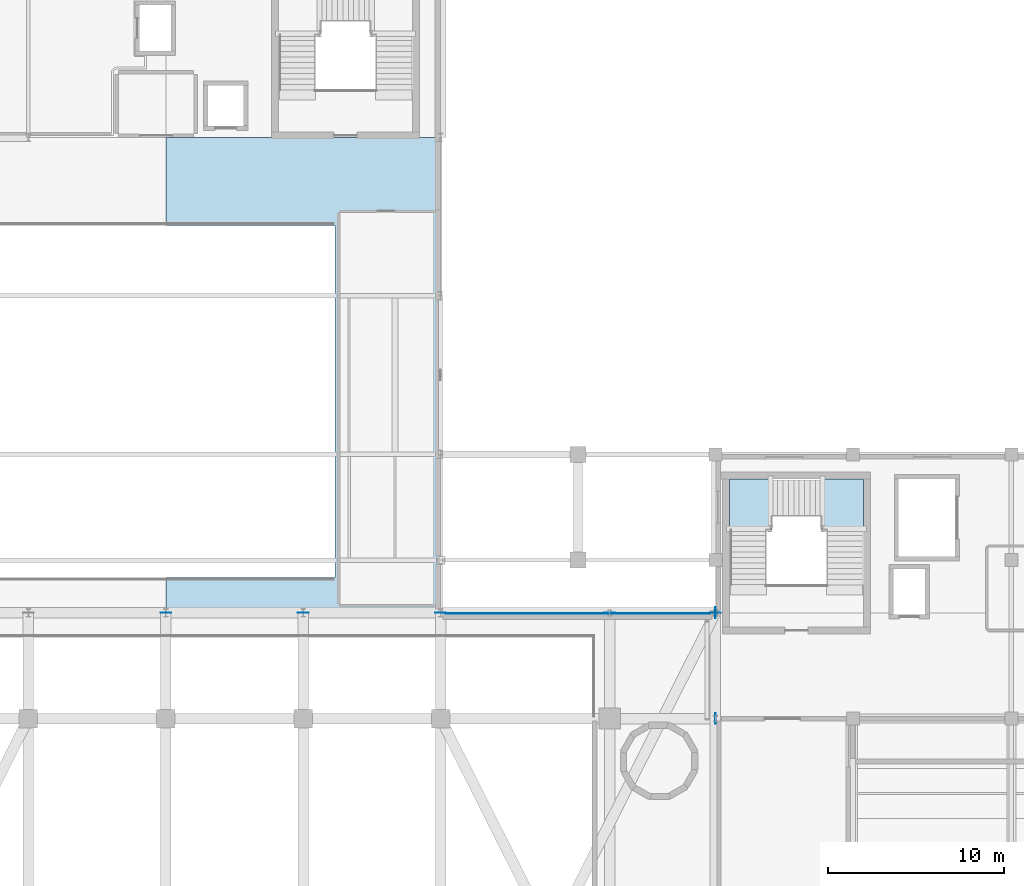
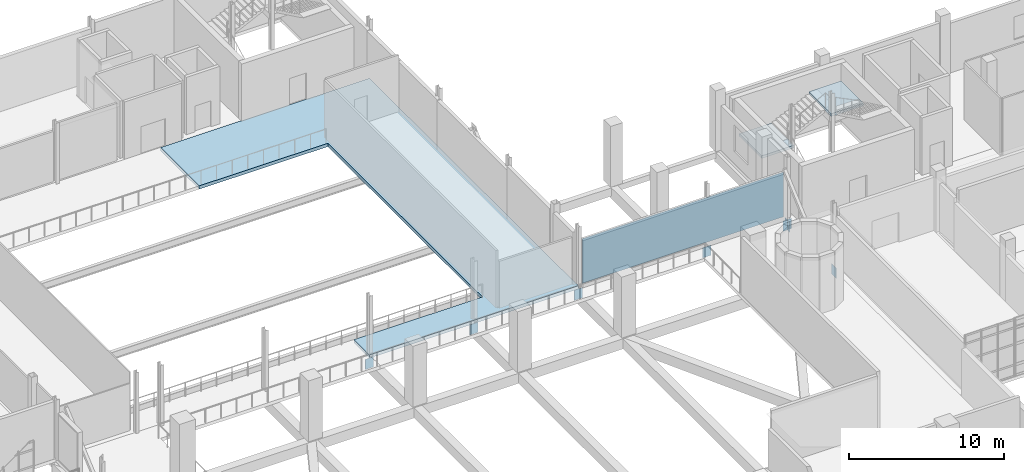
# One storey, part 70 of 100: 8 plates, 3 slabs, 1 element without a shape of its own.
"""IFC4 building model written with IfcOpenShell, lengths in metres."""

from ifc_helpers import new_model, si_unit, derived_unit, direction, frame, origin, origin_2d, place, context, subcontext, project, spatial, polyline, rectangle, outline, extrude, material, layer, layer_set, type_object, element, aggregate, save


model = new_model("IFC4")

# Units and contexts
model_context = context("Model", 3, precision=1e-05, world=origin(), true_north=direction((0.0, 1.0)))
body_context = subcontext(model_context, "Body", "Model", "MODEL_VIEW")
ifc_project = project(units=[si_unit("LENGTHUNIT", "METRE"), si_unit("AREAUNIT", "SQUARE_METRE"), si_unit("VOLUMEUNIT", "CUBIC_METRE"), si_unit("PLANEANGLEUNIT", "RADIAN"), si_unit("MASSUNIT", "GRAM", prefix="KILO"), derived_unit("THERMALTRANSMITTANCEUNIT", [(si_unit("POWERUNIT", "WATT"), 1), (si_unit("LENGTHUNIT", "METRE"), -2), (si_unit("THERMODYNAMICTEMPERATUREUNIT", "KELVIN"), -1)])], contexts=[model_context])

# Site, building, storey
site_placement = place(None, origin())
site = spatial("IfcSite", under=ifc_project, at=site_placement, CompositionType="ELEMENT")
building_placement = place(site_placement, origin())
building = spatial("IfcBuilding", under=site, at=building_placement, Name="Nallur Shell Playhouse", CompositionType="ELEMENT")
storey_placement = place(building_placement, frame((0.0, 0.0, 10.199951171875)))
storey = spatial("IfcBuildingStorey", under=building, at=storey_placement, Name="L03", CompositionType="ELEMENT", Elevation=10.199951171875)

# Plates
ifc_material_1 = material(Name="Steel E350", Category="steel")
ifc_layer_1 = layer(ifc_material_1, 0.02001953125)
ifc_layer_set_1 = layer_set([ifc_layer_1], Name="Steel E350")
plate_type_1 = type_object("IfcPlateType", Name="PT-ENDCAP-20", PredefinedType="SHEET", material=ifc_layer_set_1)
plate_1_placement = place(storey_placement, frame((118.610107421875, 41.0, -1.06005859375), z_axis=(0.0, 0.0, 1.0), x_axis=(1.0, 0.0, 0.0)))
element("IfcPlate", 1, at=plate_1_placement, inside=storey, type_object=plate_type_1, Name="Hollow end cap EC-TT-2-TC1", PredefinedType="SHEET", context=body_context, shape_type="SweptSolid", body=[
    extrude(rectangle(XDim=0.02001953125, YDim=0.60009765625, at=origin_2d()), origin(), (0.0, 0.0, 1.0), 0.800048828125),
])
for number, where, z_axis, x_axis, name in (
    (2, (87.39990234375, 47.010009765625, -1.06005859375), (0.0, 0.0, 1.0), (1.0, 0.0, 0.0), "Hollow end cap EC-TT-5-TC1"),
    (3, (95.199951171875, 47.010009765625, -1.06005859375), (0.0, 0.0, 1.0), (1.0, 0.0, 0.0), "Hollow end cap EC-TT-6-TC1"),
    (4, (103.0, 47.010009765625, -1.06005859375), (0.0, 0.0, 1.0), (1.0, 0.0, 0.0), "Hollow end cap EC-TT-7-TC1"),
    (5, (112.60009765625, 47.010009765625, -1.06005859375), (0.0, 0.0, 1.0), (1.0, 0.0, 0.0), "Hollow end cap EC-TT-8-TC1"),
):
    element("IfcPlate", number, at=place(storey_placement, frame(where, z_axis=z_axis, x_axis=x_axis)), inside=storey, type_object=plate_type_1, Name=name, PredefinedType="SHEET", context=body_context, shape_type="SweptSolid", body=[
        extrude(rectangle(XDim=0.60009765625, YDim=0.02001953125, at=origin_2d()), origin(), (0.0, 0.0, 1.0), 0.800048828125),
    ])
plate_2_placement = place(storey_placement, frame((118.610107421875, 47.0, -1.06982421875), z_axis=(0.0, 0.0, 1.0), x_axis=(1.0, 0.0, 0.0)))
element("IfcPlate", 6, at=plate_2_placement, inside=storey, type_object=plate_type_1, Name="Hollow end cap EC-GB-L03-NB", PredefinedType="SHEET", context=body_context, shape_type="SweptSolid", body=[
    extrude(rectangle(XDim=0.02001953125, YDim=0.6201171875, at=origin_2d()), origin(), (0.0, 0.0, 1.0), 0.820068359375),
])
plate_3_placement = place(storey_placement, frame((118.60009765625, 47.010009765625, -1.06982421875), z_axis=(0.0, 0.0, 1.0), x_axis=(1.0, 0.0, 0.0)))
element("IfcPlate", 7, at=plate_3_placement, inside=storey, type_object=plate_type_1, Name="Hollow end cap EC-GB-L03-EB", PredefinedType="SHEET", context=body_context, shape_type="SweptSolid", body=[
    extrude(rectangle(XDim=0.6201171875, YDim=0.02001953125, at=origin_2d()), origin(), (0.0, 0.0, 1.0), 0.820068359375),
])
ifc_material_2 = material(Name="Gold-Anodised Perforated Aluminium Acoustic Cladding", Category="aluminium")
ifc_layer_2 = layer(ifc_material_2, 0.01611328125)
ifc_layer_set_2 = layer_set([ifc_layer_2], Name="Gold-Anodised Perforated Aluminium Acoustic Cladding")
plate_type_2 = type_object("IfcPlateType", Name="PT-GOLD-06", PredefinedType="SHEET", material=ifc_layer_set_2)
plate_4_placement = place(storey_placement, frame((110.800048828125, 46.97802734375, 0.10009765625), z_axis=(0.0, 0.0, 1.0), x_axis=(1.0, 0.0, 0.0)))
element("IfcPlate", 8, at=plate_4_placement, inside=storey, type_object=plate_type_2, Name="Gold-anodised perforated aluminium cladding GC-006", PredefinedType="SHEET", context=body_context, shape_type="SweptSolid", body=[
    extrude(rectangle(XDim=15.030029296875, YDim=0.02392578125, at=origin_2d()), origin(), (0.0, 0.0, 1.0), 3.52490234375),
])

# Slab
ifc_material_3 = material(Name="Concrete M30", Category="concrete")
ifc_layer_3 = layer(ifc_material_3, 0.260009765625)
ifc_layer_set_3 = layer_set([ifc_layer_3], Name="Concrete M30")
slab_type_1 = type_object("IfcSlabType", Name="SL-FLOOR-260", PredefinedType="FLOOR", material=ifc_layer_set_3)
slab_1_placement = place(storey_placement, frame((0.0, 0.0, -0.260009765625)))
element("IfcSlab", 9, at=slab_1_placement, inside=storey, type_object=slab_type_1, Name="L03 structural floor slab panel 17", PredefinedType="FLOOR", context=body_context, shape_type="SweptSolid", body=[
    extrude(outline(polyline([(103.0, 70.0), (103.0, 47.0), (87.39990234375, 47.0), (87.39990234375, 49.0), (97.0, 49.0), (97.0, 69.0), (87.39990234375, 69.0), (87.39990234375, 74.0), (103.0, 74.0), (103.0, 70.0)])), origin(), (0.0, 0.0, 1.0), 0.260009765625),
])

# Stair, slabs
ifc_material_4 = material(Name="Concrete M35", Category="concrete")
stair_type = type_object("IfcStairType", Name="ST-CORE-48", PredefinedType="QUARTER_TURN_STAIR", material=ifc_material_4)
stair_placement = place(storey_placement, origin())
stair = element("IfcStair", 10, at=stair_placement, inside=storey, type_object=stair_type, Name="Core JC-2 exit stair ST-02-L03 (L03 to L04)", PredefinedType="QUARTER_TURN_STAIR")
ifc_layer_4 = layer(ifc_material_4, 0.199951171875)
ifc_layer_set_4 = layer_set([ifc_layer_4], Name="Concrete M35")
slab_type_2 = type_object("IfcSlabType", Name="SL-LANDING-200", PredefinedType="LANDING", material=ifc_layer_set_4)
slab_2_placement = place(storey_placement, frame((0.0, 0.0, 1.449951171875)))
slab_2 = element("IfcSlab", 11, at=slab_2_placement, type_object=slab_type_2, Name="ST-48 landing 1", PredefinedType="LANDING", context=body_context, shape_type="SweptSolid", body=[
    extrude(outline(polyline([(119.39990234375, 51.699951171875), (121.804931640625, 51.699951171875), (121.804931640625, 54.60009765625), (119.39990234375, 54.60009765625), (119.39990234375, 51.699951171875)])), origin(), (0.0, 0.0, 1.0), 0.2001953125),
])
slab_3_placement = place(storey_placement, frame((0.0, 0.0, 2.949951171875)))
slab_3 = element("IfcSlab", 12, at=slab_3_placement, type_object=slab_type_2, Name="ST-48 landing 2", PredefinedType="LANDING", context=body_context, shape_type="SweptSolid", body=[
    extrude(outline(polyline([(124.594970703125, 51.699951171875), (127.0, 51.699951171875), (127.0, 54.60009765625), (124.594970703125, 54.60009765625), (124.594970703125, 51.699951171875)])), origin(), (0.0, 0.0, 1.0), 0.2001953125),
])
aggregate(stair, [slab_2, slab_3])

save(model, "model.ifc")
